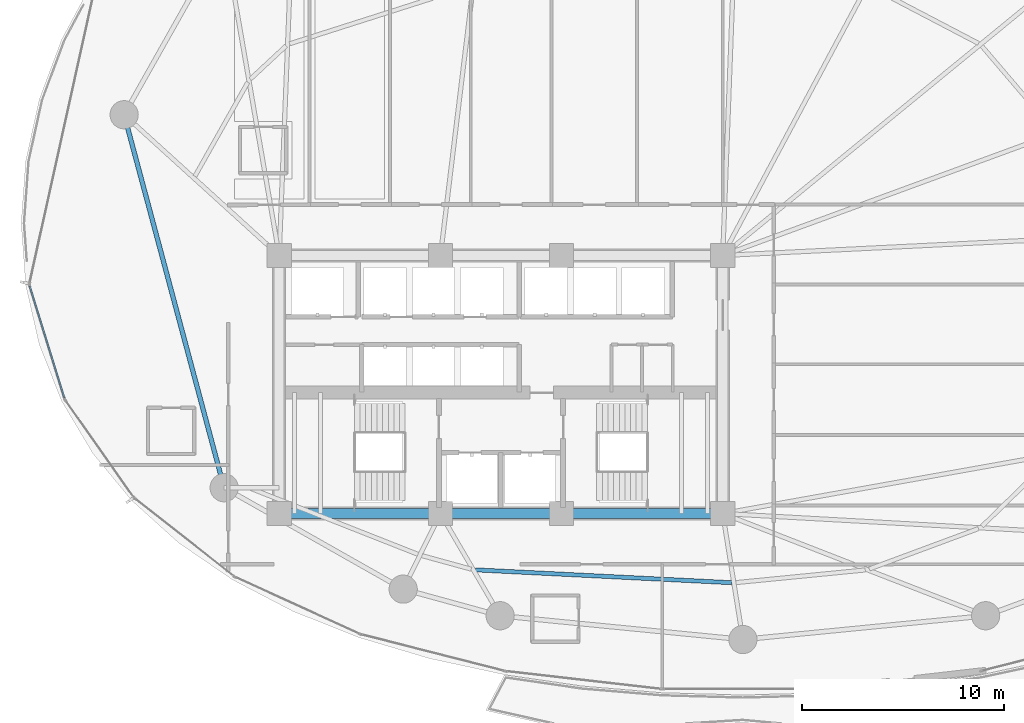
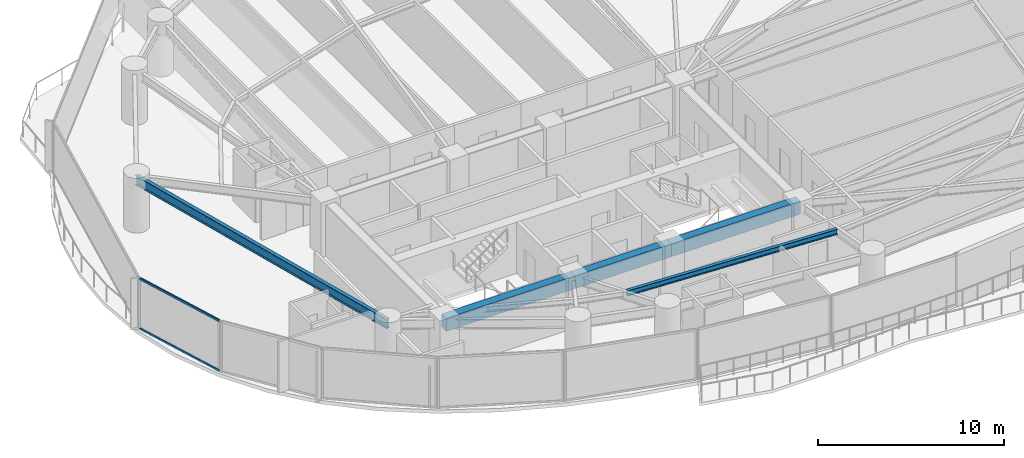
# One storey, part 7 of 33: 5 beams, 2 members, 1 element without a shape of its own.
"""IFC4 building model written with IfcOpenShell, lengths in metres."""

import ifcopenshell
import ifcopenshell.guid

model = None  # the IFC model being written
_history = None  # IfcOwnerHistory: only IFC2X3 demands one
_inside = {}  # id of a spatial element -> (the spatial element, [elements in it])
_under = {}  # id of a project, library or spatial element -> (it, [spatial elements below it])
_declared = {}  # id of a project -> (the project, [libraries it declares])
_typed = {}  # id of a type object -> (the type object, [elements of that type])
_made_of = {}  # id of a material, layer set ... -> (it, [elements and type objects made of it])


def new_model(schema):
    """Start an empty IFC model of exactly this schema.

    Asked for "IFC4X3", IfcOpenShell would pick the latest addendum, in which some entities
    have other attributes; the version numbers below select the first issue.
    IFC2X3 requires an IfcOwnerHistory on every rooted entity: one is made here for all.
    """
    global model, _history
    if schema == "IFC4X3":
        model = ifcopenshell.file(schema_version=(4, 3, 0, 0))
    else:
        model = ifcopenshell.file(schema=schema)
    _inside.clear()
    _under.clear()
    _declared.clear()
    _typed.clear()
    _made_of.clear()
    _history = None
    if model.schema == "IFC2X3":
        org = make("IfcOrganization", Name="unknown")
        user = make(
            "IfcPersonAndOrganization",
            ThePerson=make("IfcPerson", FamilyName="unknown"),
            TheOrganization=org,
        )
        app = make(
            "IfcApplication",
            ApplicationDeveloper=org,
            Version="unknown",
            ApplicationFullName="unknown",
            ApplicationIdentifier="unknown",
        )
        _history = make(
            "IfcOwnerHistory",
            OwningUser=user,
            OwningApplication=app,
            ChangeAction="ADDED",
            CreationDate=0,
        )
    return model


def make(cls, **values):
    """One entity of the class cls with the attributes given. An attribute that is None is left unset."""
    return model.create_entity(
        cls, **{name: value for name, value in values.items() if value is not None}
    )


def rooted(cls, **values):
    """An entity with a GlobalId (a new one), such as an element, a storey or a relation."""
    return make(cls, GlobalId=ifcopenshell.guid.new(), OwnerHistory=_history, **values)


def si_unit(unit_type, name, prefix=None):
    """IfcSIUnit, for example si_unit("LENGTHUNIT", "METRE", prefix="MILLI")."""
    return make("IfcSIUnit", UnitType=unit_type, Prefix=prefix, Name=name)


def assignment(units):
    """IfcUnitAssignment: the units of a project."""
    return None if units is None else make("IfcUnitAssignment", Units=units)


def point(xyz):
    """IfcCartesianPoint."""
    return None if xyz is None else make("IfcCartesianPoint", Coordinates=xyz)


def direction(xyz):
    """IfcDirection."""
    return None if xyz is None else make("IfcDirection", DirectionRatios=xyz)


def frame(location, z_axis=None, x_axis=None):
    """IfcAxis2Placement3D, a coordinate frame: its origin and axes. An axis left out is left unset."""
    return make(
        "IfcAxis2Placement3D",
        Location=point(location),
        Axis=direction(z_axis),
        RefDirection=direction(x_axis),
    )


def frame_2d(location, x_axis=None):
    """IfcAxis2Placement2D, a coordinate frame in the plane: its origin and x axis."""
    return make(
        "IfcAxis2Placement2D", Location=point(location), RefDirection=direction(x_axis)
    )


def origin():
    """The frame at (0, 0, 0) with its axes left unset."""
    return frame((0.0, 0.0, 0.0))


def origin_2d():
    """The frame at (0, 0) in the plane with its x axis left unset."""
    return frame_2d((0.0, 0.0))


def place(relative_to, where):
    """IfcLocalPlacement: puts the frame where relative to a parent placement (None: the world)."""
    return make(
        "IfcLocalPlacement", PlacementRelTo=relative_to, RelativePlacement=where
    )


def context(
    kind, dimensions, precision=None, world=None, true_north=None, identifier=None
):
    """IfcGeometricRepresentationContext, for example the 3D "Model" context."""
    return make(
        "IfcGeometricRepresentationContext",
        ContextIdentifier=identifier,
        ContextType=kind,
        CoordinateSpaceDimension=dimensions,
        Precision=precision,
        WorldCoordinateSystem=world,
        TrueNorth=true_north,
    )


def subcontext(parent, identifier, kind, view, scale=None):
    """IfcGeometricRepresentationSubContext, for example "Body" below "Model"."""
    return make(
        "IfcGeometricRepresentationSubContext",
        ContextIdentifier=identifier,
        ContextType=kind,
        ParentContext=parent,
        TargetScale=scale,
        TargetView=view,
    )


def project(units=None, contexts=None):
    """IfcProject with its units and contexts."""
    return rooted(
        "IfcProject",
        Name="project",
        RepresentationContexts=contexts,
        UnitsInContext=assignment(units),
    )


def spatial(cls, under=None, at=None, **own):
    """A site, building, storey or space (cls), placed at a placement, below another one or the project."""
    s = rooted(cls, ObjectPlacement=at, **own)
    if under is not None:
        _under.setdefault(under.id(), (under, []))[1].append(s)
    return s


def profile(cls, at=None, kind="AREA", **sizes):
    """A parametric profile (cls). Its sizes go by their IFC names, for example OverallWidth=200.0."""
    return make(cls, ProfileType=kind, Position=at, **sizes)


def rectangle(**sizes):
    """IfcRectangleProfileDef."""
    return profile("IfcRectangleProfileDef", **sizes)


def hollow_rectangle(**sizes):
    """IfcRectangleHollowProfileDef."""
    return profile("IfcRectangleHollowProfileDef", **sizes)


def i_section(**sizes):
    """IfcIShapeProfileDef."""
    return profile("IfcIShapeProfileDef", **sizes)


def extrude(swept, where, along, depth):
    """IfcExtrudedAreaSolid: the profile swept, set in the frame where, extruded along a direction by depth."""
    return make(
        "IfcExtrudedAreaSolid",
        SweptArea=swept,
        Position=where,
        ExtrudedDirection=direction(along),
        Depth=depth,
    )


def shape(context_of_items, identifier, shape_type, items):
    """IfcShapeRepresentation: the items that make up one representation, for example the "Body"."""
    return make(
        "IfcShapeRepresentation",
        ContextOfItems=context_of_items,
        RepresentationIdentifier=identifier,
        RepresentationType=shape_type,
        Items=items,
    )


def material(Name=None, Category=None):
    """IfcMaterial."""
    return make("IfcMaterial", Name=Name, Category=Category)


def layer(
    of_material, thickness, ventilated=None, Name=None, Category=None, Priority=None
):
    """IfcMaterialLayer: one layer of a wall or slab, of a material (None: an air gap)."""
    return make(
        "IfcMaterialLayer",
        Material=of_material,
        LayerThickness=thickness,
        IsVentilated=ventilated,
        Name=Name,
        Category=Category,
        Priority=Priority,
    )


def layer_set(layers, Name=None):
    """IfcMaterialLayerSet."""
    return make("IfcMaterialLayerSet", MaterialLayers=layers, LayerSetName=Name)


def material_profile(
    of_material, cross_section, Name=None, Category=None, Priority=None
):
    """IfcMaterialProfile: a cross section and its material."""
    return make(
        "IfcMaterialProfile",
        Name=Name,
        Material=of_material,
        Profile=cross_section,
        Priority=Priority,
        Category=Category,
    )


def profile_set(profiles, Name=None, composite=None):
    """IfcMaterialProfileSet."""
    return make(
        "IfcMaterialProfileSet",
        Name=Name,
        MaterialProfiles=profiles,
        CompositeProfile=composite,
    )


def made_of(thing, what):
    """Note that an element or type object is made of a material, layer set ...; save() writes the relation."""
    if what is not None:
        _made_of.setdefault(what.id(), (what, []))[1].append(thing)
    return thing


def type_object(cls, material=None, **own):
    """A type object (cls), such as IfcWallType, which elements share."""
    return made_of(rooted(cls, **own), material)


def element(
    cls,
    number,
    at=None,
    inside=None,
    cuts=None,
    type_object=None,
    material=None,
    context=None,
    identifier="Body",
    shape_type=None,
    held_by="IfcProductDefinitionShape",
    body=None,
    shapes=None,
    **own,
):
    """One element of the class cls, such as IfcWall. Its Tag is "e" and its number.

    at: its placement. inside: the storey or other place that contains it. cuts: it is an
    opening in that element (IfcRelVoidsElement). A single representation is given by context,
    identifier, shape_type and body (its items); several are given by shapes. held_by: the class
    of the entity that holds the representations. save() writes the other relations.
    """
    e = rooted(cls, Tag="e%d" % number, ObjectPlacement=at, **own)
    if body is not None:
        shapes = [shape(context, identifier, shape_type, body)]
    if shapes is not None:
        e.Representation = make(held_by, Representations=shapes)
    if inside is not None:
        _inside.setdefault(inside.id(), (inside, []))[1].append(e)
    if cuts is not None:
        rooted(
            "IfcRelVoidsElement", RelatingBuildingElement=cuts, RelatedOpeningElement=e
        )
    if type_object is not None:
        _typed.setdefault(type_object.id(), (type_object, []))[1].append(e)
    return made_of(e, material)


def aggregate(whole, parts):
    """IfcRelAggregates: a whole, such as a stair, and the parts it consists of."""
    return rooted("IfcRelAggregates", RelatingObject=whole, RelatedObjects=parts)


def save(model, path):
    """Write the relations noted so far, then the file.

    IfcRelAggregates (storeys below a building ...), IfcRelContainedInSpatialStructure (elements
    in a storey), IfcRelDefinesByType, IfcRelAssociatesMaterial and IfcRelDeclares: one each for
    every whole, place, type object, material and project.
    """
    for whole, parts in _under.values():
        aggregate(whole, parts)
    for where, things in _inside.values():
        rooted(
            "IfcRelContainedInSpatialStructure",
            RelatedElements=things,
            RelatingStructure=where,
        )
    for kind, things in _typed.values():
        rooted("IfcRelDefinesByType", RelatedObjects=things, RelatingType=kind)
    for what, things in _made_of.values():
        rooted("IfcRelAssociatesMaterial", RelatedObjects=things, RelatingMaterial=what)
    for by, libraries in _declared.values():
        rooted("IfcRelDeclares", RelatingContext=by, RelatedDefinitions=libraries)
    model.write(path)


model = new_model("IFC4")

# Units and contexts
model_context = context("Model", 3, precision=1e-05, world=origin(), true_north=direction((0.0, 1.0)))
body_context = subcontext(model_context, "Body", "Model", "MODEL_VIEW")
ifc_project = project(units=[si_unit("LENGTHUNIT", "METRE"), si_unit("AREAUNIT", "SQUARE_METRE"), si_unit("VOLUMEUNIT", "CUBIC_METRE"), si_unit("PLANEANGLEUNIT", "RADIAN"), si_unit("MASSUNIT", "GRAM", prefix="KILO")], contexts=[model_context])

# Site, building, storey
site_placement = place(None, origin())
site = spatial("IfcSite", under=ifc_project, at=site_placement, CompositionType="ELEMENT")
building_placement = place(site_placement, origin())
building = spatial("IfcBuilding", under=site, at=building_placement, Name="Kazevale Care Tower and Concert Hall", CompositionType="ELEMENT")
storey_placement = place(building_placement, frame((0.0, 0.0, 27.60009765625)))
storey = spatial("IfcBuildingStorey", under=building, at=storey_placement, Name="L06", CompositionType="ELEMENT", Elevation=27.60009765625)

# Curtain wall, members
ifc_material_1 = material(Name="Aluminium 6063-T6 and Low-E Glass", Category="aluminium")
ifc_layer = layer(ifc_material_1, 0.179931640625)
ifc_layer_set = layer_set([ifc_layer], Name="Aluminium 6063-T6 and Low-E Glass")
curtain_wall_type = type_object("IfcCurtainWallType", Name="Waist & Upper Residential Curtain Wall CW-4", PredefinedType="NOTDEFINED", material=ifc_layer_set)
curtain_wall_placement = place(storey_placement, origin())
curtain_wall = element("IfcCurtainWall", 1, at=curtain_wall_placement, inside=storey, type_object=curtain_wall_type, Name="cw:L06:f12", PredefinedType="NOTDEFINED")
ifc_material_2 = material(Name="Aluminium 6063-T6", Category="aluminium")
ifc_material_profile_1 = material_profile(ifc_material_2, hollow_rectangle(XDim=0.080078125, YDim=0.139892578125, WallThickness=0.00390625, at=origin_2d()), Name="ALU80x140x4")
ifc_profile_set_1 = profile_set([ifc_material_profile_1], Name="Aluminium 6063-T6")
member_type = type_object("IfcMemberType", Name="CW-4 Transom ALU80x140x4", PredefinedType="USERDEFINED", material=ifc_profile_set_1)
member_1_placement = place(storey_placement, frame((11.347412109375, 29.33447265625, 0.039794921875), z_axis=(-0.296117563823, 0.955151500232, 0.0), x_axis=(-0.955151500232, -0.296117563823, 0.0)))
member_1 = element("IfcMember", 2, at=member_1_placement, type_object=member_type, Name="CW-4 transom 1.1", ObjectType="TRANSOM", PredefinedType="USERDEFINED", context=body_context, shape_type="SweptSolid", body=[
    extrude(hollow_rectangle(XDim=0.080078125, YDim=0.139892578125, WallThickness=0.00390625, at=origin_2d()), origin(), (0.0, 0.0, 1.0), 5.8076171875),
])
member_2_placement = place(storey_placement, frame((11.347412109375, 29.33447265625, 3.31982421875), z_axis=(-0.296117563823, 0.955151500232, 0.0), x_axis=(-0.955151500232, -0.296117563823, 0.0)))
member_2 = element("IfcMember", 3, at=member_2_placement, type_object=member_type, Name="CW-4 transom 1.2", ObjectType="TRANSOM", PredefinedType="USERDEFINED", context=body_context, shape_type="SweptSolid", body=[
    extrude(hollow_rectangle(XDim=0.080078125, YDim=0.139892578125, WallThickness=0.00390625, at=origin_2d()), origin(), (0.0, 0.0, 1.0), 5.8076171875),
])
aggregate(curtain_wall, [member_1, member_2])

# Beams
ifc_material_3 = material(Name="Concrete C60", Category="concrete")
ifc_material_profile_2 = material_profile(ifc_material_3, rectangle(XDim=0.5, YDim=0.85009765625, at=origin_2d()), Name="RC-B500x850")
ifc_profile_set_2 = profile_set([ifc_material_profile_2], Name="Concrete C60")
beam_type_1 = type_object("IfcBeamType", Name="Core Coupling Beam RC500x850", PredefinedType="LINTEL", material=ifc_profile_set_2)
beam_1_placement = place(storey_placement, frame((22.0, 23.60009765625, 2.934814453125), z_axis=(1.0, 0.0, 0.0), x_axis=(0.0, 1.0, 0.0)))
element("IfcBeam", 4, at=beam_1_placement, inside=storey, type_object=beam_type_1, Name="beam:L06:coretie:1", PredefinedType="LINTEL", context=body_context, shape_type="SweptSolid", body=[
    extrude(rectangle(XDim=0.5, YDim=0.85009765625, at=origin_2d()), origin(), (0.0, 0.0, 1.0), 8.0),
])
beam_2_placement = place(storey_placement, frame((30.0, 23.60009765625, 2.934814453125), z_axis=(1.0, 0.0, 0.0), x_axis=(0.0, 1.0, 0.0)))
element("IfcBeam", 5, at=beam_2_placement, inside=storey, type_object=beam_type_1, Name="beam:L06:coretie:2", PredefinedType="LINTEL", context=body_context, shape_type="SweptSolid", body=[
    extrude(rectangle(XDim=0.5, YDim=0.85009765625, at=origin_2d()), origin(), (0.0, 0.0, 1.0), 6.0),
])
beam_3_placement = place(storey_placement, frame((36.0, 23.60009765625, 2.934814453125), z_axis=(1.0, 0.0, 0.0), x_axis=(0.0, 1.0, 0.0)))
element("IfcBeam", 6, at=beam_3_placement, inside=storey, type_object=beam_type_1, Name="beam:L06:coretie:3", PredefinedType="LINTEL", context=body_context, shape_type="SweptSolid", body=[
    extrude(rectangle(XDim=0.5, YDim=0.85009765625, at=origin_2d()), origin(), (0.0, 0.0, 1.0), 8.0),
])
ifc_material_4 = material(Name="Steel ASTM A572 Gr 50", Category="steel")
ifc_material_profile_3 = material_profile(ifc_material_4, i_section(OverallWidth=0.22900390625, OverallDepth=0.612060546875, WebThickness=0.011962890625, FlangeThickness=0.01953125, at=origin_2d()), Name="W610x125")
ifc_profile_set_3 = profile_set([ifc_material_profile_3], Name="Steel ASTM A572 Gr 50")
beam_type_2 = type_object("IfcBeamType", Name="Ring Spandrel Beam W610x125", PredefinedType="SPANDREL", material=ifc_profile_set_3)
beam_4_placement = place(storey_placement, frame((14.31005859375, 43.3798828125, 3.053955078125), z_axis=(0.258960352031, -0.965887952133, 0.0), x_axis=(0.965887952133, 0.258960352031, 0.0)))
element("IfcBeam", 7, at=beam_4_placement, inside=storey, type_object=beam_type_2, Name="beam:L06:ring:09", PredefinedType="SPANDREL", context=body_context, shape_type="SweptSolid", body=[
    extrude(i_section(OverallWidth=0.22900390625, OverallDepth=0.612060546875, WebThickness=0.011962890625, FlangeThickness=0.01953125, at=origin_2d()), origin(), (0.0, 0.0, 1.0), 19.1533203125),
])
ifc_material_profile_4 = material_profile(ifc_material_4, i_section(OverallWidth=0.205078125, OverallDepth=0.35400390625, WebThickness=0.009521484375, FlangeThickness=0.016845703125, at=origin_2d()), Name="W360x79")
ifc_profile_set_4 = profile_set([ifc_material_profile_4], Name="Steel ASTM A572 Gr 50")
beam_type_3 = type_object("IfcBeamType", Name="Secondary Floor Joist W360x79", PredefinedType="JOIST", material=ifc_profile_set_4)
beam_5_placement = place(storey_placement, frame((31.73291015625, 20.805908203125, 3.182861328125), z_axis=(0.998743186005, -0.050120339262, 0.0), x_axis=(0.050120339262, 0.998743186005, 0.0)))
element("IfcBeam", 8, at=beam_5_placement, inside=storey, type_object=beam_type_3, Name="beam:L06:joist:12", PredefinedType="JOIST", context=body_context, shape_type="SweptSolid", body=[
    extrude(i_section(OverallWidth=0.205078125, OverallDepth=0.35400390625, WebThickness=0.009521484375, FlangeThickness=0.016845703125, at=origin_2d()), origin(), (0.0, 0.0, 1.0), 12.728271484375),
])

save(model, "model.ifc")
